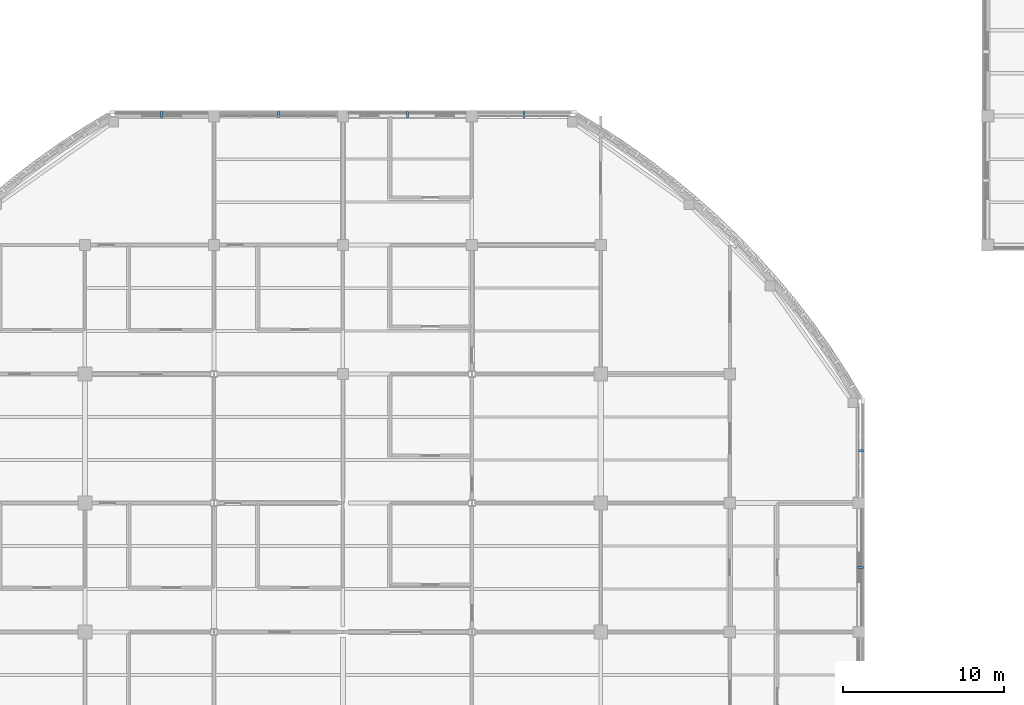
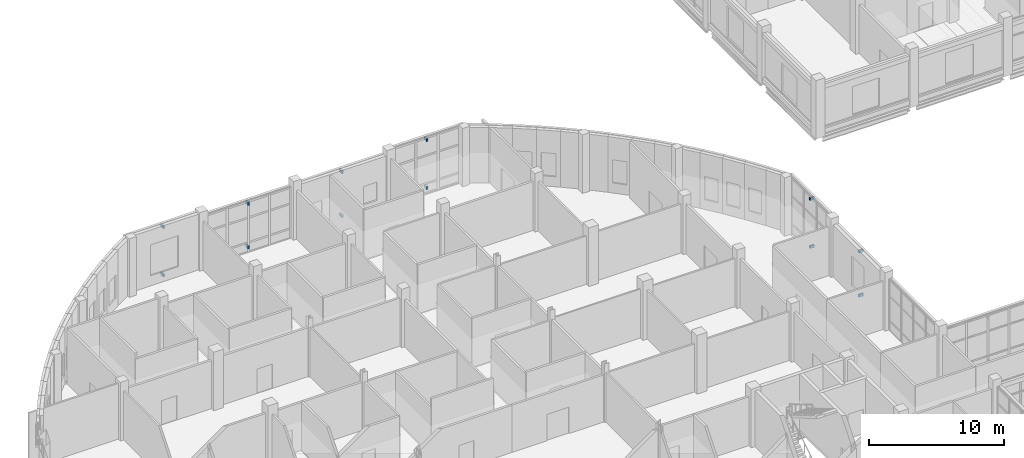
# One storey, part 89 of 105: 12 discrete accessories.
"""IFC4 building model written with IfcOpenShell, lengths in metres."""

from ifc_helpers import new_model, si_unit, derived_unit, direction, frame, origin, origin_2d, place, context, subcontext, project, spatial, rectangle, extrude, material, type_object, element, save


model = new_model("IFC4")

# Units and contexts
model_context = context("Model", 3, precision=1e-05, world=origin(), true_north=direction((0.0, 1.0)))
body_context = subcontext(model_context, "Body", "Model", "MODEL_VIEW")
ifc_project = project(units=[si_unit("LENGTHUNIT", "METRE"), si_unit("AREAUNIT", "SQUARE_METRE"), si_unit("VOLUMEUNIT", "CUBIC_METRE"), si_unit("PLANEANGLEUNIT", "RADIAN"), si_unit("MASSUNIT", "GRAM", prefix="KILO"), derived_unit("THERMALTRANSMITTANCEUNIT", [(si_unit("MASSUNIT", "GRAM", prefix="KILO"), 1), (si_unit("TIMEUNIT", "SECOND"), -3), (si_unit("THERMODYNAMICTEMPERATUREUNIT", "KELVIN"), -1)])], contexts=[model_context])

# Site, building, storey
site_placement = place(None, origin())
site = spatial("IfcSite", under=ifc_project, at=site_placement, CompositionType="ELEMENT")
building_placement = place(site_placement, origin())
building = spatial("IfcBuilding", under=site, at=building_placement, Name="Veyamyaing Civic Hall", CompositionType="ELEMENT")
storey_placement = place(building_placement, origin())
storey = spatial("IfcBuildingStorey", under=building, at=storey_placement, Name="L00", CompositionType="ELEMENT", Elevation=0.0)

# Discrete accessories
ifc_material = material(Name="Steel S355J2", Category="steel")
discrete_accessory_type = type_object("IfcDiscreteAccessoryType", Name="BK-01", PredefinedType="BRACKET", material=ifc_material)
for number, where, z_axis, x_axis, name in (
    (1, (76.759521484375, 96.10009765625, 4.69482421875), (0.0, 0.0, 1.0), (0.0, 1.0, 0.0), "Sunshade anchor bracket BK-01 L00 N 10.12"),
    (2, (76.759521484375, 96.10009765625, 0.35986328125), (0.0, 0.0, 1.0), (0.0, 1.0, 0.0), "Lower ribbon anchor bracket BK-01 L00 N 10.12"),
    (3, (84.0, 96.10009765625, 4.27392578125), (0.0, 0.0, 1.0), (0.0, 1.0, 0.0), "Sunshade anchor bracket BK-01 L00 N 11.12"),
    (4, (84.0, 96.10009765625, 0.35986328125), (0.0, 0.0, 1.0), (0.0, 1.0, 0.0), "Lower ribbon anchor bracket BK-01 L00 N 11.12"),
    (5, (92.0, 96.10009765625, 4.3369140625), (0.0, 0.0, 1.0), (0.0, 1.0, 0.0), "Sunshade anchor bracket BK-01 L00 N 12.12"),
    (6, (92.0, 96.10009765625, 0.35986328125), (0.0, 0.0, 1.0), (0.0, 1.0, 0.0), "Lower ribbon anchor bracket BK-01 L00 N 12.12"),
    (7, (99.240478515625, 96.10009765625, 4.69482421875), (0.0, 0.0, 1.0), (0.0, 1.0, 0.0), "Sunshade anchor bracket BK-01 L00 N 13.12"),
    (8, (99.240478515625, 96.10009765625, 0.35986328125), (0.0, 0.0, 1.0), (0.0, 1.0, 0.0), "Lower ribbon anchor bracket BK-01 L00 N 13.12"),
    (9, (120.10009765625, 68.0, 4.3369140625), (0.0, 0.0, 1.0), (1.0, 0.0, 0.0), "Sunshade anchor bracket BK-01 L00 E 15.9"),
    (10, (120.10009765625, 68.0, 0.35986328125), (0.0, 0.0, 1.0), (1.0, 0.0, 0.0), "Lower ribbon anchor bracket BK-01 L00 E 15.9"),
    (11, (120.10009765625, 75.240478515625, 4.69482421875), (0.0, 0.0, 1.0), (1.0, 0.0, 0.0), "Sunshade anchor bracket BK-01 L00 E 15.10"),
    (12, (120.10009765625, 75.240478515625, 0.35986328125), (0.0, 0.0, 1.0), (1.0, 0.0, 0.0), "Lower ribbon anchor bracket BK-01 L00 E 15.10"),
):
    element("IfcDiscreteAccessory", number, at=place(storey_placement, frame(where, z_axis=z_axis, x_axis=x_axis)), inside=storey, type_object=discrete_accessory_type, Name=name, PredefinedType="BRACKET", context=body_context, shape_type="SweptSolid", body=[
        extrude(rectangle(XDim=0.3798828125, YDim=0.139892578125, at=origin_2d()), origin(), (0.0, 0.0, 1.0), 0.239990234375),
    ])

save(model, "model.ifc")
